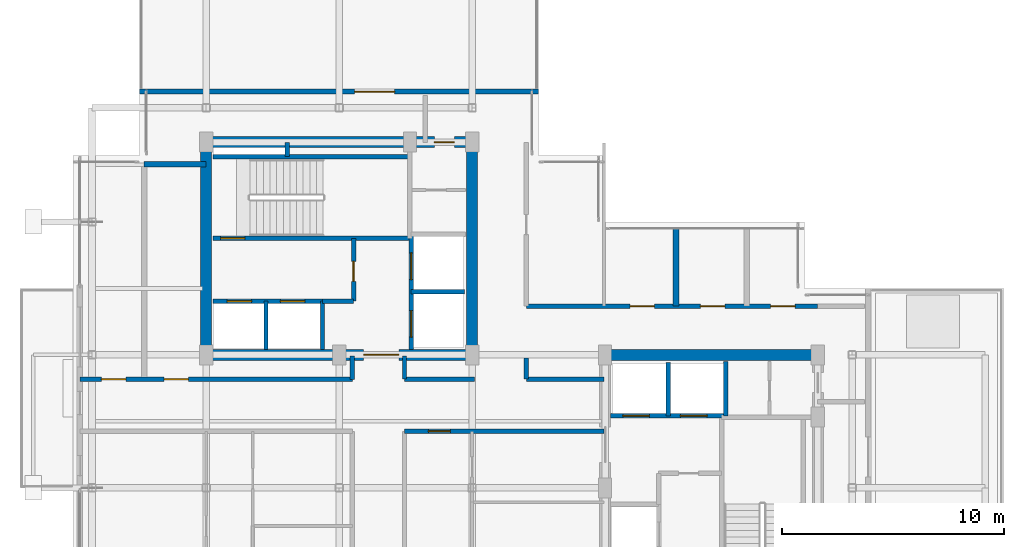
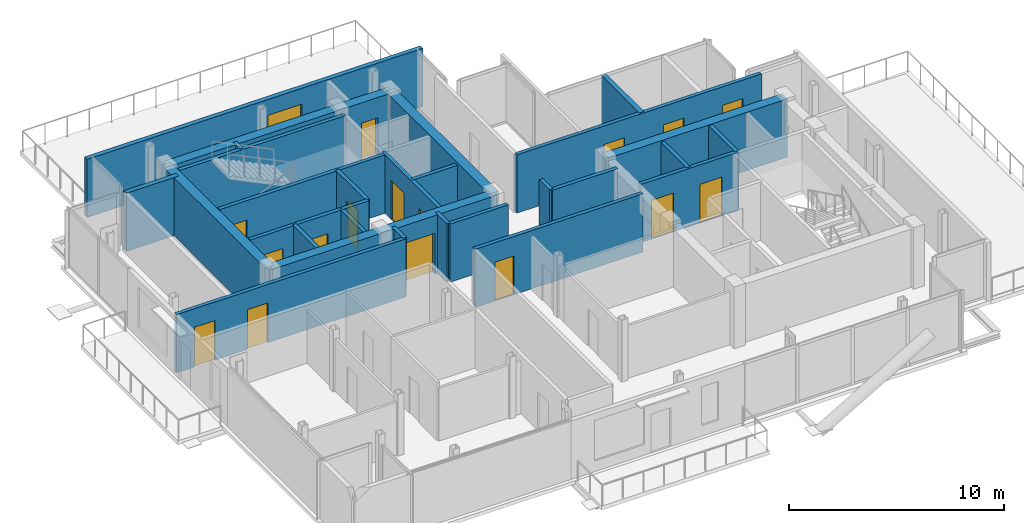
# One storey, part 15 of 19: 29 walls, 17 doors, 17 openings.
"""IFC4 building model written with IfcOpenShell, lengths in metres."""

from ifc_helpers import new_model, si_unit, direction, frame, frame_2d, origin, place, context, subcontext, project, spatial, rectangle, extrude, material, layer, layer_set, type_object, element, fill, save


model = new_model("IFC4")

# Units and contexts
model_context = context("Model", 3, precision=1e-05, world=origin(), true_north=direction((0.0, 1.0)))
body_context = subcontext(model_context, "Body", "Model", "MODEL_VIEW")
ifc_project = project(units=[si_unit("LENGTHUNIT", "METRE"), si_unit("AREAUNIT", "SQUARE_METRE"), si_unit("VOLUMEUNIT", "CUBIC_METRE"), si_unit("PLANEANGLEUNIT", "RADIAN"), si_unit("MASSUNIT", "GRAM", prefix="KILO"), si_unit("THERMODYNAMICTEMPERATUREUNIT", "KELVIN"), si_unit("POWERUNIT", "WATT")], contexts=[model_context])

# Site, building, storey
site_placement = place(None, origin())
site = spatial("IfcSite", under=ifc_project, at=site_placement, CompositionType="ELEMENT")
building_placement = place(site_placement, origin())
building = spatial("IfcBuilding", under=site, at=building_placement, Name="Svarakhadi Broadcast Tower", CompositionType="ELEMENT")
storey_placement = place(building_placement, frame((0.0, 0.0, 239.699951171875)))
storey = spatial("IfcBuildingStorey", under=building, at=storey_placement, Name="L59", CompositionType="ELEMENT", Elevation=239.699951171875)

# Wall, openings, doors
ifc_material_1 = material(Name="Double-Stud Acoustic Studio Partition STC-62", Category="gypsum")
ifc_layer_1 = layer(ifc_material_1, 0.199951171875)
ifc_layer_set_1 = layer_set([ifc_layer_1], Name="Double-Stud Acoustic Studio Partition STC-62")
wall_type_1 = type_object("IfcWallType", Name="Wall_Acoust_200", PredefinedType="PARTITIONING", material=ifc_layer_set_1)
wall_1_placement = place(storey_placement, frame((0.300048828125, 16.89990234375, 0.0), z_axis=(0.0, 0.0, 1.0), x_axis=(1.0, 0.0, 0.0)))
wall_1 = element("IfcWall", 1, at=wall_1_placement, inside=storey, type_object=wall_type_1, Name="L59 Upper Tower Concourse Wall", PredefinedType="PARTITIONING", context=body_context, shape_type="SweptSolid", body=[
    extrude(rectangle(XDim=12.300048828125, YDim=0.199951171875, at=frame_2d((6.14990234375, 0.0))), origin(), (0.0, 0.0, 1.0), 3.300048828125),
])
opening_1_placement = place(wall_1_placement, frame((0.97509765625, 0.0, 0.0)))
opening_1 = element("IfcOpeningElement", 2, at=opening_1_placement, cuts=wall_1, Name="Opening D-11", PredefinedType="OPENING", context=body_context, shape_type="SweptSolid", body=[
    extrude(rectangle(XDim=1.10009765625, YDim=2.25, at=frame_2d((0.550048828125, 1.125))), frame((0.0, 0.10986328125, 0.0), z_axis=(0.0, -1.0, 0.0), x_axis=(1.0, 0.0, 0.0)), (0.0, 0.0, 1.0), 0.219970703125),
])
opening_2_placement = place(wall_1_placement, frame((3.800048828125, 0.0, 0.0)))
opening_2 = element("IfcOpeningElement", 3, at=opening_2_placement, cuts=wall_1, Name="Opening D-10", PredefinedType="OPENING", context=body_context, shape_type="SweptSolid", body=[
    extrude(rectangle(XDim=1.10009765625, YDim=2.25, at=frame_2d((0.550048828125, 1.125))), frame((0.0, 0.10986328125, 0.0), z_axis=(0.0, -1.0, 0.0), x_axis=(1.0, 0.0, 0.0)), (0.0, 0.0, 1.0), 0.219970703125),
])
ifc_material_2 = material(Name="Solid-Core Teak Veneer Acoustic Timber Leaf", Category="wood")
door_type_1 = type_object("IfcDoorType", Name="Door_Acoust_D10", OperationType="SINGLE_SWING_LEFT", PredefinedType="DOOR", material=ifc_material_2)
door_1_placement = place(opening_2_placement, origin())
door_1 = element("IfcDoor", 4, at=door_1_placement, inside=storey, type_object=door_type_1, Name="L59 Residents Study Office Door", OperationType="SINGLE_SWING_LEFT", OverallHeight=2.25, OverallWidth=1.10009765625, PredefinedType="DOOR", context=body_context, shape_type="SweptSolid", body=[
    extrude(rectangle(XDim=1.10009765625, YDim=2.25, at=frame_2d((0.550048828125, 1.125))), frame((0.0, 0.02490234375, 0.0), z_axis=(0.0, -1.0, 0.0), x_axis=(1.0, 0.0, 0.0)), (0.0, 0.0, 1.0), 0.050048828125),
])
fill(opening_2, door_1)
door_type_2 = type_object("IfcDoorType", Name="Door_Acoust_D11", OperationType="SINGLE_SWING_RIGHT", PredefinedType="DOOR", material=ifc_material_2)
door_2_placement = place(opening_1_placement, origin())
door_2 = element("IfcDoor", 5, at=door_2_placement, inside=storey, type_object=door_type_2, Name="L59 Setback Garden Residents Lounge Door", OperationType="SINGLE_SWING_RIGHT", OverallHeight=2.25, OverallWidth=1.10009765625, PredefinedType="DOOR", context=body_context, shape_type="SweptSolid", body=[
    extrude(rectangle(XDim=1.10009765625, YDim=2.25, at=frame_2d((0.550048828125, 1.125))), frame((0.0, 0.02490234375, 0.0), z_axis=(0.0, -1.0, 0.0), x_axis=(1.0, 0.0, 0.0)), (0.0, 0.0, 1.0), 0.050048828125),
])
fill(opening_1, door_2)

# Walls
for number, where, z_axis, x_axis, name in (
    (6, (12.60009765625, 16.89990234375, 0.0), (0.0, 0.0, 1.0), (0.0, 1.0, 0.0), "L59 Upper Tower Concourse Wall"),
    (7, (14.949951171875, 17.949951171875, 0.0), (0.0, 0.0, 1.0), (0.0, -1.0, 0.0), "L59 Upper Tower Concourse Wall"),
):
    element("IfcWall", number, at=place(storey_placement, frame(where, z_axis=z_axis, x_axis=x_axis)), inside=storey, type_object=wall_type_1, Name=name, PredefinedType="PARTITIONING", context=body_context, shape_type="SweptSolid", body=[
        extrude(rectangle(XDim=1.050048828125, YDim=0.199951171875, at=frame_2d((0.52490234375, 0.0))), origin(), (0.0, 0.0, 1.0), 3.300048828125),
    ])
wall_2_placement = place(storey_placement, frame((14.949951171875, 16.89990234375, 0.0), z_axis=(0.0, 0.0, 1.0), x_axis=(1.0, 0.0, 0.0)))
element("IfcWall", 8, at=wall_2_placement, inside=storey, type_object=wall_type_1, Name="L59 Upper Tower Concourse Wall", PredefinedType="PARTITIONING", context=body_context, shape_type="SweptSolid", body=[
    extrude(rectangle(XDim=3.150146484375, YDim=0.199951171875, at=frame_2d((1.5751953125, 0.0))), origin(), (0.0, 0.0, 1.0), 3.300048828125),
])

# Wall, openings, doors
wall_3_placement = place(storey_placement, frame((20.449951171875, 20.199951171875, 0.0), z_axis=(0.0, 0.0, 1.0), x_axis=(1.0, 0.0, 0.0)))
wall_3 = element("IfcWall", 9, at=wall_3_placement, inside=storey, type_object=wall_type_1, Name="L59 Upper Tower Concourse Wall", PredefinedType="PARTITIONING", context=body_context, shape_type="SweptSolid", body=[
    extrude(rectangle(XDim=13.130126953125, YDim=0.199951171875, at=frame_2d((6.56494140625, 0.0))), origin(), (0.0, 0.0, 1.0), 3.300048828125),
])
opening_3_placement = place(wall_3_placement, frame((4.675048828125, 0.0, 0.0)))
opening_3 = element("IfcOpeningElement", 10, at=opening_3_placement, cuts=wall_3, Name="Opening D-10", PredefinedType="OPENING", context=body_context, shape_type="SweptSolid", body=[
    extrude(rectangle(XDim=1.10009765625, YDim=2.25, at=frame_2d((0.550048828125, 1.125))), frame((0.0, 0.10986328125, 0.0), z_axis=(0.0, -1.0, 0.0), x_axis=(1.0, 0.0, 0.0)), (0.0, 0.0, 1.0), 0.219970703125),
])
opening_4_placement = place(wall_3_placement, frame((7.85009765625, 0.0, 0.0)))
opening_4 = element("IfcOpeningElement", 11, at=opening_4_placement, cuts=wall_3, Name="Opening D-11", PredefinedType="OPENING", context=body_context, shape_type="SweptSolid", body=[
    extrude(rectangle(XDim=1.10009765625, YDim=2.25, at=frame_2d((0.550048828125, 1.125))), frame((0.0, 0.10986328125, 0.0), z_axis=(0.0, -1.0, 0.0), x_axis=(1.0, 0.0, 0.0)), (0.0, 0.0, 1.0), 0.219970703125),
])
opening_5_placement = place(wall_3_placement, frame((11.02490234375, 0.0, 0.0)))
opening_5 = element("IfcOpeningElement", 12, at=opening_5_placement, cuts=wall_3, Name="Opening D-10", PredefinedType="OPENING", context=body_context, shape_type="SweptSolid", body=[
    extrude(rectangle(XDim=1.10009765625, YDim=2.25, at=frame_2d((0.550048828125, 1.125))), frame((0.0, 0.10986328125, 0.0), z_axis=(0.0, -1.0, 0.0), x_axis=(1.0, 0.0, 0.0)), (0.0, 0.0, 1.0), 0.219970703125),
])
door_3_placement = place(opening_3_placement, origin())
door_3 = element("IfcDoor", 13, at=door_3_placement, inside=storey, type_object=door_type_1, Name="L59 Harbour Sky Club Reading Room Door", OperationType="SINGLE_SWING_LEFT", OverallHeight=2.25, OverallWidth=1.10009765625, PredefinedType="DOOR", context=body_context, shape_type="SweptSolid", body=[
    extrude(rectangle(XDim=1.10009765625, YDim=2.25, at=frame_2d((0.550048828125, 1.125))), frame((0.0, 0.02490234375, 0.0), z_axis=(0.0, -1.0, 0.0), x_axis=(1.0, 0.0, 0.0)), (0.0, 0.0, 1.0), 0.050048828125),
])
fill(opening_3, door_3)
door_4_placement = place(opening_5_placement, origin())
door_4 = element("IfcDoor", 14, at=door_4_placement, inside=storey, type_object=door_type_1, Name="L59 VIP Guest Concierge Office Door", OperationType="SINGLE_SWING_LEFT", OverallHeight=2.25, OverallWidth=1.10009765625, PredefinedType="DOOR", context=body_context, shape_type="SweptSolid", body=[
    extrude(rectangle(XDim=1.10009765625, YDim=2.25, at=frame_2d((0.550048828125, 1.125))), frame((0.0, 0.02490234375, 0.0), z_axis=(0.0, -1.0, 0.0), x_axis=(1.0, 0.0, 0.0)), (0.0, 0.0, 1.0), 0.050048828125),
])
fill(opening_5, door_4)
door_5_placement = place(opening_4_placement, origin())
door_5 = element("IfcDoor", 15, at=door_5_placement, inside=storey, type_object=door_type_2, Name="L59 Private Sommelier Tasting Pantry Door", OperationType="SINGLE_SWING_RIGHT", OverallHeight=2.25, OverallWidth=1.10009765625, PredefinedType="DOOR", context=body_context, shape_type="SweptSolid", body=[
    extrude(rectangle(XDim=1.10009765625, YDim=2.25, at=frame_2d((0.550048828125, 1.125))), frame((0.0, 0.02490234375, 0.0), z_axis=(0.0, -1.0, 0.0), x_axis=(1.0, 0.0, 0.0)), (0.0, 0.0, 1.0), 0.050048828125),
])
fill(opening_4, door_5)

# Walls
wall_4_placement = place(storey_placement, frame((20.449951171875, 17.85009765625, 0.0), z_axis=(0.0, 0.0, 1.0), x_axis=(0.0, -1.0, 0.0)))
element("IfcWall", 16, at=wall_4_placement, inside=storey, type_object=wall_type_1, Name="L59 Upper Tower Concourse Wall", PredefinedType="PARTITIONING", context=body_context, shape_type="SweptSolid", body=[
    extrude(rectangle(XDim=0.9501953125, YDim=0.199951171875, at=frame_2d((0.47509765625, 0.0))), origin(), (0.0, 0.0, 1.0), 3.300048828125),
])
wall_5_placement = place(storey_placement, frame((20.449951171875, 16.89990234375, 0.0), z_axis=(0.0, 0.0, 1.0), x_axis=(1.0, 0.0, 0.0)))
element("IfcWall", 17, at=wall_5_placement, inside=storey, type_object=wall_type_1, Name="L59 Upper Tower Concourse Wall", PredefinedType="PARTITIONING", context=body_context, shape_type="SweptSolid", body=[
    extrude(rectangle(XDim=3.5, YDim=0.199951171875, at=frame_2d((1.75, 0.0))), origin(), (0.0, 0.0, 1.0), 3.300048828125),
])

# Wall, opening, door
wall_6_placement = place(storey_placement, frame((23.949951171875, 14.550048828125, 0.0), z_axis=(0.0, 0.0, 1.0), x_axis=(-1.0, 0.0, 0.0)))
wall_6 = element("IfcWall", 18, at=wall_6_placement, inside=storey, type_object=wall_type_1, Name="L59 Upper Tower Concourse Wall", PredefinedType="PARTITIONING", context=body_context, shape_type="SweptSolid", body=[
    extrude(rectangle(XDim=9.0, YDim=0.199951171875, at=frame_2d((4.5, 0.0))), origin(), (0.0, 0.0, 1.0), 3.300048828125),
])
opening_6_placement = place(wall_6_placement, frame((6.925048828125, 0.0, 0.0)))
opening_6 = element("IfcOpeningElement", 19, at=opening_6_placement, cuts=wall_6, Name="Opening D-09", PredefinedType="OPENING", context=body_context, shape_type="SweptSolid", body=[
    extrude(rectangle(XDim=1.0, YDim=2.199951171875, at=frame_2d((0.5, 1.10009765625))), frame((0.0, 0.10986328125, 0.0), z_axis=(0.0, -1.0, 0.0), x_axis=(1.0, 0.0, 0.0)), (0.0, 0.0, 1.0), 0.219970703125),
])
door_type_3 = type_object("IfcDoorType", Name="Door_Suite_D09", OperationType="SINGLE_SWING_RIGHT", PredefinedType="DOOR", material=ifc_material_2)
door_6_placement = place(opening_6_placement, origin())
door_6 = element("IfcDoor", 20, at=door_6_placement, inside=storey, type_object=door_type_3, Name="L59 Studio B Entrance Door", OperationType="SINGLE_SWING_RIGHT", OverallHeight=2.199951171875, OverallWidth=1.0, PredefinedType="DOOR", context=body_context, shape_type="SweptSolid", body=[
    extrude(rectangle(XDim=1.0, YDim=2.199951171875, at=frame_2d((0.5, 1.10009765625))), frame((0.0, 0.02490234375, 0.0), z_axis=(0.0, -1.0, 0.0), x_axis=(1.0, 0.0, 0.0)), (0.0, 0.0, 1.0), 0.050048828125),
])
fill(opening_6, door_6)

# Walls
ifc_layer_2 = layer(ifc_material_1, 0.25)
ifc_layer_set_2 = layer_set([ifc_layer_2], Name="Double-Stud Acoustic Studio Partition STC-62")
wall_type_2 = type_object("IfcWallType", Name="Wall_Acoust_250", PredefinedType="PARTITIONING", material=ifc_layer_set_2)
wall_7_placement = place(storey_placement, frame((27.199951171875, 20.199951171875, 0.0), z_axis=(0.0, 0.0, 1.0), x_axis=(0.0, 1.0, 0.0)))
element("IfcWall", 21, at=wall_7_placement, inside=storey, type_object=wall_type_2, Name="L59 Harbour Sky Club Reading Room Wall", PredefinedType="PARTITIONING", context=body_context, shape_type="SweptSolid", body=[
    extrude(rectangle(XDim=3.5, YDim=0.25, at=frame_2d((1.75, 0.0))), origin(), (0.0, 0.0, 1.0), 3.300048828125),
])
wall_8_placement = place(storey_placement, frame((3.199951171875, 26.60009765625, 0.0), z_axis=(0.0, 0.0, 1.0), x_axis=(1.0, 0.0, 0.0)))
element("IfcWall", 22, at=wall_8_placement, inside=storey, type_object=wall_type_2, Name="L59 Residents Study Office Wall", PredefinedType="PARTITIONING", context=body_context, shape_type="SweptSolid", body=[
    extrude(rectangle(XDim=2.800048828125, YDim=0.25, at=frame_2d((1.39990234375, 0.0))), origin(), (0.0, 0.0, 1.0), 3.300048828125),
])

# Wall, opening, door
ifc_material_3 = material(Name="Concrete C40/50 (IS 456 M50)", Category="concrete")
ifc_layer_3 = layer(ifc_material_3, 0.239990234375)
ifc_layer_set_3 = layer_set([ifc_layer_3], Name="Concrete C40/50 (IS 456 M50)")
wall_type_3 = type_object("IfcWallType", Name="Wall_Ext_240", PredefinedType="SOLIDWALL", material=ifc_layer_set_3)
wall_9_placement = place(storey_placement, frame((3.0, 29.8798828125, 0.0), z_axis=(0.0, 0.0, 1.0), x_axis=(1.0, 0.0, 0.0)))
wall_9 = element("IfcWall", 23, at=wall_9_placement, inside=storey, type_object=wall_type_3, Name="L59 North Setback Terrace Access Wall", PredefinedType="SOLIDWALL", context=body_context, shape_type="SweptSolid", body=[
    extrude(rectangle(XDim=18.0, YDim=0.239990234375, at=frame_2d((9.0, 0.0))), origin(), (0.0, 0.0, 1.0), 3.300048828125),
])
opening_7_placement = place(wall_9_placement, frame((9.699951171875, 0.0, 0.0)))
opening_7 = element("IfcOpeningElement", 24, at=opening_7_placement, cuts=wall_9, Name="Opening ED-02", PredefinedType="OPENING", context=body_context, shape_type="SweptSolid", body=[
    extrude(rectangle(XDim=1.800048828125, YDim=2.39990234375, at=frame_2d((0.89990234375, 1.199951171875))), frame((0.0, 0.1298828125, 0.0), z_axis=(0.0, -1.0, 0.0), x_axis=(1.0, 0.0, 0.0)), (0.0, 0.0, 1.0), 0.260009765625),
])
ifc_material_4 = material(Name="Anodised Bronze Aluminium AA 6063-T6", Category="aluminium")
door_type_4 = type_object("IfcDoorType", Name="Door_Ext_ED02", OperationType="DOUBLE_DOOR_SINGLE_SWING", PredefinedType="DOOR", material=ifc_material_4)
door_7_placement = place(opening_7_placement, origin())
door_7 = element("IfcDoor", 25, at=door_7_placement, inside=storey, type_object=door_type_4, Name="L59 North Setback Terrace Door", OperationType="DOUBLE_DOOR_SINGLE_SWING", OverallHeight=2.39990234375, OverallWidth=1.800048828125, PredefinedType="DOOR", context=body_context, shape_type="SweptSolid", body=[
    extrude(rectangle(XDim=1.800048828125, YDim=2.39990234375, at=frame_2d((0.89990234375, 1.199951171875))), frame((0.0, 0.02490234375, 0.0), z_axis=(0.0, -1.0, 0.0), x_axis=(1.0, 0.0, 0.0)), (0.0, 0.0, 1.0), 0.050048828125),
])
fill(opening_7, door_7)

# Wall
ifc_layer_4 = layer(ifc_material_3, 0.199951171875)
ifc_layer_set_4 = layer_set([ifc_layer_4], Name="Concrete C40/50 (IS 456 M50)")
wall_type_4 = type_object("IfcWallType", Name="Wall_Fire_200", PredefinedType="SOLIDWALL", material=ifc_layer_set_4)
wall_10_placement = place(storey_placement, frame((9.659912109375, 26.93994140625, 0.0), z_axis=(0.0, 0.0, 1.0), x_axis=(0.0, 1.0, 0.0)))
element("IfcWall", 26, at=wall_10_placement, inside=storey, type_object=wall_type_4, Name="L59 Wet Riser Shaft East Wall", PredefinedType="SOLIDWALL", context=body_context, shape_type="SweptSolid", body=[
    extrude(rectangle(XDim=0.64013671875, YDim=0.199951171875, at=frame_2d((0.320068359375, 0.0))), origin(), (0.0, 0.0, 1.0), 3.300048828125),
])

# Wall, opening, door
ifc_material_5 = material(Name="Concrete C50/60 (IS 456 M60)", Category="concrete")
ifc_layer_5 = layer(ifc_material_5, 0.199951171875)
ifc_layer_set_5 = layer_set([ifc_layer_5], Name="Concrete C50/60 (IS 456 M60)")
wall_type_5 = type_object("IfcWallType", Name="Wall_Shear_200", PredefinedType="SHEAR", material=ifc_layer_set_5)
wall_11_placement = place(storey_placement, frame((6.300048828125, 23.260009765625, 0.0), z_axis=(0.0, 0.0, 1.0), x_axis=(1.0, 0.0, 0.0)))
wall_11 = element("IfcWall", 27, at=wall_11_placement, inside=storey, type_object=wall_type_5, Name="L59 Stair ST-01 South RC Shaft Wall", PredefinedType="SHEAR", context=body_context, shape_type="SweptSolid", body=[
    extrude(rectangle(XDim=8.8798828125, YDim=0.199951171875, at=frame_2d((4.43994140625, 0.0))), origin(), (0.0, 0.0, 1.0), 3.300048828125),
])
opening_8_placement = place(wall_11_placement, frame((0.35009765625, 0.0, 0.0)))
opening_8 = element("IfcOpeningElement", 28, at=opening_8_placement, cuts=wall_11, Name="Opening D-01", PredefinedType="OPENING", context=body_context, shape_type="SweptSolid", body=[
    extrude(rectangle(XDim=1.10009765625, YDim=2.199951171875, at=frame_2d((0.550048828125, 1.10009765625))), frame((0.0, 0.10986328125, 0.0), z_axis=(0.0, -1.0, 0.0), x_axis=(1.0, 0.0, 0.0)), (0.0, 0.0, 1.0), 0.219970703125),
])
ifc_material_6 = material(Name="Galvanised Powder-Coated Fire-Rated Steel Leaf", Category="steel")
door_type_5 = type_object("IfcDoorType", Name="Door_Stair_D01", OperationType="SINGLE_SWING_LEFT", PredefinedType="DOOR", material=ifc_material_6)
door_8_placement = place(opening_8_placement, origin())
door_8 = element("IfcDoor", 29, at=door_8_placement, inside=storey, type_object=door_type_5, Name="L59 Protected Exit Stair ST-01 Fire Door", OperationType="SINGLE_SWING_LEFT", OverallHeight=2.199951171875, OverallWidth=1.10009765625, PredefinedType="DOOR", context=body_context, shape_type="SweptSolid", body=[
    extrude(rectangle(XDim=1.10009765625, YDim=2.199951171875, at=frame_2d((0.550048828125, 1.10009765625))), frame((0.0, 0.02490234375, 0.0), z_axis=(0.0, -1.0, 0.0), x_axis=(1.0, 0.0, 0.0)), (0.0, 0.0, 1.0), 0.050048828125),
])
fill(opening_8, door_8)

# Wall
wall_12_placement = place(storey_placement, frame((6.300048828125, 26.93994140625, 0.0), z_axis=(0.0, 0.0, 1.0), x_axis=(1.0, 0.0, 0.0)))
element("IfcWall", 30, at=wall_12_placement, inside=storey, type_object=wall_type_5, Name="L59 Stair ST-01 North RC Shaft Wall", PredefinedType="SHEAR", context=body_context, shape_type="SweptSolid", body=[
    extrude(rectangle(XDim=8.8798828125, YDim=0.199951171875, at=frame_2d((4.43994140625, 0.0))), origin(), (0.0, 0.0, 1.0), 3.300048828125),
])

# Wall, openings, doors
wall_13_placement = place(storey_placement, frame((6.300048828125, 20.419921875, 0.0), z_axis=(0.0, 0.0, 1.0), x_axis=(1.0, 0.0, 0.0)))
wall_13 = element("IfcWall", 31, at=wall_13_placement, inside=storey, type_object=wall_type_5, Name="L59 Firefighting Lift LF-01/02 Shaft Wall", PredefinedType="SHEAR", context=body_context, shape_type="SweptSolid", body=[
    extrude(rectangle(XDim=4.949951171875, YDim=0.199951171875, at=frame_2d((2.47509765625, 0.0))), origin(), (0.0, 0.0, 1.0), 3.300048828125),
])
opening_9_placement = place(wall_13_placement, frame((0.64990234375, 0.0, 0.0)))
opening_9 = element("IfcOpeningElement", 32, at=opening_9_placement, cuts=wall_13, Name="Opening LD-01", PredefinedType="OPENING", context=body_context, shape_type="SweptSolid", body=[
    extrude(rectangle(XDim=1.10009765625, YDim=2.199951171875, at=frame_2d((0.550048828125, 1.10009765625))), frame((0.0, 0.10986328125, 0.0), z_axis=(0.0, -1.0, 0.0), x_axis=(1.0, 0.0, 0.0)), (0.0, 0.0, 1.0), 0.219970703125),
])
opening_10_placement = place(wall_13_placement, frame((3.050048828125, 0.0, 0.0)))
opening_10 = element("IfcOpeningElement", 33, at=opening_10_placement, cuts=wall_13, Name="Opening LD-01", PredefinedType="OPENING", context=body_context, shape_type="SweptSolid", body=[
    extrude(rectangle(XDim=1.10009765625, YDim=2.199951171875, at=frame_2d((0.550048828125, 1.10009765625))), frame((0.0, 0.10986328125, 0.0), z_axis=(0.0, -1.0, 0.0), x_axis=(1.0, 0.0, 0.0)), (0.0, 0.0, 1.0), 0.219970703125),
])
door_type_6 = type_object("IfcDoorType", Name="Door_Lift_LD01", OperationType="SLIDING_TO_LEFT", PredefinedType="DOOR", material=ifc_material_6)
door_9_placement = place(opening_9_placement, origin())
door_9 = element("IfcDoor", 34, at=door_9_placement, inside=storey, type_object=door_type_6, Name="L59 Firefighting Lift LF-01 Landing Door", OperationType="SLIDING_TO_LEFT", OverallHeight=2.199951171875, OverallWidth=1.10009765625, PredefinedType="DOOR", context=body_context, shape_type="SweptSolid", body=[
    extrude(rectangle(XDim=1.10009765625, YDim=2.199951171875, at=frame_2d((0.550048828125, 1.10009765625))), frame((0.0, 0.02490234375, 0.0), z_axis=(0.0, -1.0, 0.0), x_axis=(1.0, 0.0, 0.0)), (0.0, 0.0, 1.0), 0.050048828125),
])
fill(opening_9, door_9)
door_10_placement = place(opening_10_placement, origin())
door_10 = element("IfcDoor", 35, at=door_10_placement, inside=storey, type_object=door_type_6, Name="L59 Firefighting Lift LF-02 Landing Door", OperationType="SLIDING_TO_LEFT", OverallHeight=2.199951171875, OverallWidth=1.10009765625, PredefinedType="DOOR", context=body_context, shape_type="SweptSolid", body=[
    extrude(rectangle(XDim=1.10009765625, YDim=2.199951171875, at=frame_2d((0.550048828125, 1.10009765625))), frame((0.0, 0.02490234375, 0.0), z_axis=(0.0, -1.0, 0.0), x_axis=(1.0, 0.0, 0.0)), (0.0, 0.0, 1.0), 0.050048828125),
])
fill(opening_10, door_10)

# Walls
for number, where, z_axis, x_axis, name in (
    (36, (8.699951171875, 18.25, 0.0), (0.0, 0.0, 1.0), (0.0, 1.0, 0.0), "L59 Firefighting Lift LF-01/02 Divider Wall"),
    (37, (11.25, 18.25, 0.0), (0.0, 0.0, 1.0), (0.0, 1.0, 0.0), "L59 Firefighting Lift LF-02 East Wall"),
):
    element("IfcWall", number, at=place(storey_placement, frame(where, z_axis=z_axis, x_axis=x_axis)), inside=storey, type_object=wall_type_5, Name=name, PredefinedType="SHEAR", context=body_context, shape_type="SweptSolid", body=[
        extrude(rectangle(XDim=2.169921875, YDim=0.199951171875, at=frame_2d((1.0849609375, 0.0))), origin(), (0.0, 0.0, 1.0), 3.300048828125),
    ])
wall_14_placement = place(storey_placement, frame((11.25, 20.419921875, 0.0), z_axis=(0.0, 0.0, 1.0), x_axis=(1.0, 0.0, 0.0)))
element("IfcWall", 38, at=wall_14_placement, inside=storey, type_object=wall_type_5, Name="L59 West Firefighting Lobby South Wall", PredefinedType="SHEAR", context=body_context, shape_type="SweptSolid", body=[
    extrude(rectangle(XDim=1.39990234375, YDim=0.199951171875, at=frame_2d((0.699951171875, 0.0))), origin(), (0.0, 0.0, 1.0), 3.300048828125),
])

# Wall, opening, door
wall_15_placement = place(storey_placement, frame((12.64990234375, 20.419921875, 0.0), z_axis=(0.0, 0.0, 1.0), x_axis=(0.0, 1.0, 0.0)))
wall_15 = element("IfcWall", 39, at=wall_15_placement, inside=storey, type_object=wall_type_5, Name="L59 West Firefighting Lobby East Wall", PredefinedType="SHEAR", context=body_context, shape_type="SweptSolid", body=[
    extrude(rectangle(XDim=2.840087890625, YDim=0.199951171875, at=frame_2d((1.419921875, 0.0))), origin(), (0.0, 0.0, 1.0), 3.300048828125),
])
opening_11_placement = place(wall_15_placement, frame((0.89990234375, 0.0, 0.0)))
opening_11 = element("IfcOpeningElement", 40, at=opening_11_placement, cuts=wall_15, Name="Opening D-03", PredefinedType="OPENING", context=body_context, shape_type="SweptSolid", body=[
    extrude(rectangle(XDim=0.89990234375, YDim=2.14990234375, at=frame_2d((0.449951171875, 1.074951171875))), frame((0.0, 0.10986328125, 0.0), z_axis=(0.0, -1.0, 0.0), x_axis=(1.0, 0.0, 0.0)), (0.0, 0.0, 1.0), 0.219970703125),
])
door_type_7 = type_object("IfcDoorType", Name="Door_Fire_D03", OperationType="SINGLE_SWING_LEFT", PredefinedType="DOOR", material=ifc_material_6)
door_11_placement = place(opening_11_placement, origin())
door_11 = element("IfcDoor", 41, at=door_11_placement, inside=storey, type_object=door_type_7, Name="L59 West Firefighting Lobby Fire Door", OperationType="SINGLE_SWING_LEFT", OverallHeight=2.14990234375, OverallWidth=0.89990234375, PredefinedType="DOOR", context=body_context, shape_type="SweptSolid", body=[
    extrude(rectangle(XDim=0.89990234375, YDim=2.14990234375, at=frame_2d((0.449951171875, 1.074951171875))), frame((0.0, 0.02490234375, 0.0), z_axis=(0.0, -1.0, 0.0), x_axis=(1.0, 0.0, 0.0)), (0.0, 0.0, 1.0), 0.050048828125),
])
fill(opening_11, door_11)

# Wall, openings, doors
wall_16_placement = place(storey_placement, frame((15.25, 18.25, 0.0), z_axis=(0.0, 0.0, 1.0), x_axis=(0.0, 1.0, 0.0)))
wall_16 = element("IfcWall", 42, at=wall_16_placement, inside=storey, type_object=wall_type_5, Name="L59 High-Rise Lift LF-13/14 West Shaft Wall", PredefinedType="SHEAR", context=body_context, shape_type="SweptSolid", body=[
    extrude(rectangle(XDim=5.199951171875, YDim=0.199951171875, at=frame_2d((2.60009765625, 0.0))), origin(), (0.0, 0.0, 1.0), 3.300048828125),
])
opening_12_placement = place(wall_16_placement, frame((0.550048828125, 0.0, 0.0)))
opening_12 = element("IfcOpeningElement", 43, at=opening_12_placement, cuts=wall_16, Name="Opening LD-02", PredefinedType="OPENING", context=body_context, shape_type="SweptSolid", body=[
    extrude(rectangle(XDim=1.199951171875, YDim=2.199951171875, at=frame_2d((0.60009765625, 1.10009765625))), frame((0.0, 0.10986328125, 0.0), z_axis=(0.0, -1.0, 0.0), x_axis=(1.0, 0.0, 0.0)), (0.0, 0.0, 1.0), 0.219970703125),
])
opening_13_placement = place(wall_16_placement, frame((3.14990234375, 0.0, 0.0)))
opening_13 = element("IfcOpeningElement", 44, at=opening_13_placement, cuts=wall_16, Name="Opening LD-02", PredefinedType="OPENING", context=body_context, shape_type="SweptSolid", body=[
    extrude(rectangle(XDim=1.199951171875, YDim=2.199951171875, at=frame_2d((0.60009765625, 1.10009765625))), frame((0.0, 0.10986328125, 0.0), z_axis=(0.0, -1.0, 0.0), x_axis=(1.0, 0.0, 0.0)), (0.0, 0.0, 1.0), 0.219970703125),
])
door_type_8 = type_object("IfcDoorType", Name="Door_Lift_LD02", OperationType="SLIDING_TO_RIGHT", PredefinedType="DOOR", material=ifc_material_6)
door_12_placement = place(opening_12_placement, origin())
door_12 = element("IfcDoor", 45, at=door_12_placement, inside=storey, type_object=door_type_8, Name="L59 High-Rise Lift LF-13 Landing Door", OperationType="SLIDING_TO_RIGHT", OverallHeight=2.199951171875, OverallWidth=1.199951171875, PredefinedType="DOOR", context=body_context, shape_type="SweptSolid", body=[
    extrude(rectangle(XDim=1.199951171875, YDim=2.199951171875, at=frame_2d((0.60009765625, 1.10009765625))), frame((0.0, 0.02490234375, 0.0), z_axis=(0.0, -1.0, 0.0), x_axis=(1.0, 0.0, 0.0)), (0.0, 0.0, 1.0), 0.050048828125),
])
fill(opening_12, door_12)
door_13_placement = place(opening_13_placement, origin())
door_13 = element("IfcDoor", 46, at=door_13_placement, inside=storey, type_object=door_type_8, Name="L59 High-Rise Lift LF-14 Landing Door", OperationType="SLIDING_TO_RIGHT", OverallHeight=2.199951171875, OverallWidth=1.199951171875, PredefinedType="DOOR", context=body_context, shape_type="SweptSolid", body=[
    extrude(rectangle(XDim=1.199951171875, YDim=2.199951171875, at=frame_2d((0.60009765625, 1.10009765625))), frame((0.0, 0.02490234375, 0.0), z_axis=(0.0, -1.0, 0.0), x_axis=(1.0, 0.0, 0.0)), (0.0, 0.0, 1.0), 0.050048828125),
])
fill(opening_13, door_13)

# Wall
wall_17_placement = place(storey_placement, frame((15.25, 20.85009765625, 0.0), z_axis=(0.0, 0.0, 1.0), x_axis=(1.0, 0.0, 0.0)))
element("IfcWall", 47, at=wall_17_placement, inside=storey, type_object=wall_type_5, Name="L59 High-Rise Lift LF-13/14 Divider", PredefinedType="SHEAR", context=body_context, shape_type="SweptSolid", body=[
    extrude(rectangle(XDim=2.39990234375, YDim=0.199951171875, at=frame_2d((1.199951171875, 0.0))), origin(), (0.0, 0.0, 1.0), 3.300048828125),
])

# Wall, openings, doors
wall_18_placement = place(storey_placement, frame((24.25, 15.25, 0.0), z_axis=(0.0, 0.0, 1.0), x_axis=(1.0, 0.0, 0.0)))
wall_18 = element("IfcWall", 48, at=wall_18_placement, inside=storey, type_object=wall_type_5, Name="L59 High-Rise Lift LF-15/16 South Shaft Wall", PredefinedType="SHEAR", context=body_context, shape_type="SweptSolid", body=[
    extrude(rectangle(XDim=5.199951171875, YDim=0.199951171875, at=frame_2d((2.60009765625, 0.0))), origin(), (0.0, 0.0, 1.0), 3.300048828125),
])
opening_14_placement = place(wall_18_placement, frame((0.550048828125, 0.0, 0.0)))
opening_14 = element("IfcOpeningElement", 49, at=opening_14_placement, cuts=wall_18, Name="Opening LD-02", PredefinedType="OPENING", context=body_context, shape_type="SweptSolid", body=[
    extrude(rectangle(XDim=1.199951171875, YDim=2.199951171875, at=frame_2d((0.60009765625, 1.10009765625))), frame((0.0, 0.10986328125, 0.0), z_axis=(0.0, -1.0, 0.0), x_axis=(1.0, 0.0, 0.0)), (0.0, 0.0, 1.0), 0.219970703125),
])
opening_15_placement = place(wall_18_placement, frame((3.14990234375, 0.0, 0.0)))
opening_15 = element("IfcOpeningElement", 50, at=opening_15_placement, cuts=wall_18, Name="Opening LD-02", PredefinedType="OPENING", context=body_context, shape_type="SweptSolid", body=[
    extrude(rectangle(XDim=1.199951171875, YDim=2.199951171875, at=frame_2d((0.60009765625, 1.10009765625))), frame((0.0, 0.10986328125, 0.0), z_axis=(0.0, -1.0, 0.0), x_axis=(1.0, 0.0, 0.0)), (0.0, 0.0, 1.0), 0.219970703125),
])
door_14_placement = place(opening_14_placement, origin())
door_14 = element("IfcDoor", 51, at=door_14_placement, inside=storey, type_object=door_type_8, Name="L59 High-Rise Lift LF-15 Landing Door", OperationType="SLIDING_TO_RIGHT", OverallHeight=2.199951171875, OverallWidth=1.199951171875, PredefinedType="DOOR", context=body_context, shape_type="SweptSolid", body=[
    extrude(rectangle(XDim=1.199951171875, YDim=2.199951171875, at=frame_2d((0.60009765625, 1.10009765625))), frame((0.0, 0.02490234375, 0.0), z_axis=(0.0, -1.0, 0.0), x_axis=(1.0, 0.0, 0.0)), (0.0, 0.0, 1.0), 0.050048828125),
])
fill(opening_14, door_14)
door_15_placement = place(opening_15_placement, origin())
door_15 = element("IfcDoor", 52, at=door_15_placement, inside=storey, type_object=door_type_8, Name="L59 High-Rise Lift LF-16 Landing Door", OperationType="SLIDING_TO_RIGHT", OverallHeight=2.199951171875, OverallWidth=1.199951171875, PredefinedType="DOOR", context=body_context, shape_type="SweptSolid", body=[
    extrude(rectangle(XDim=1.199951171875, YDim=2.199951171875, at=frame_2d((0.60009765625, 1.10009765625))), frame((0.0, 0.02490234375, 0.0), z_axis=(0.0, -1.0, 0.0), x_axis=(1.0, 0.0, 0.0)), (0.0, 0.0, 1.0), 0.050048828125),
])
fill(opening_15, door_15)

# Walls
wall_19_placement = place(storey_placement, frame((26.85009765625, 15.25, 0.0), z_axis=(0.0, 0.0, 1.0), x_axis=(0.0, 1.0, 0.0)))
element("IfcWall", 53, at=wall_19_placement, inside=storey, type_object=wall_type_5, Name="L59 High-Rise Lift LF-15/16 Divider", PredefinedType="SHEAR", context=body_context, shape_type="SweptSolid", body=[
    extrude(rectangle(XDim=2.39990234375, YDim=0.199951171875, at=frame_2d((1.199951171875, 0.0))), origin(), (0.0, 0.0, 1.0), 3.300048828125),
])
wall_20_placement = place(storey_placement, frame((29.449951171875, 15.25, 0.0), z_axis=(0.0, 0.0, 1.0), x_axis=(0.0, 1.0, 0.0)))
element("IfcWall", 54, at=wall_20_placement, inside=storey, type_object=wall_type_5, Name="L59 High-Rise Lift LF-15/16 East Wall", PredefinedType="SHEAR", context=body_context, shape_type="SweptSolid", body=[
    extrude(rectangle(XDim=2.449951171875, YDim=0.199951171875, at=frame_2d((1.22509765625, 0.0))), origin(), (0.0, 0.0, 1.0), 3.300048828125),
])

# Wall, opening, door
ifc_layer_6 = layer(ifc_material_5, 0.5)
ifc_layer_set_6 = layer_set([ifc_layer_6], Name="Concrete C50/60 (IS 456 M60)")
wall_type_6 = type_object("IfcWallType", Name="Wall_Shear_500", PredefinedType="SHEAR", material=ifc_layer_set_6)
wall_21_placement = place(storey_placement, frame((6.0, 18.0, 0.0), z_axis=(0.0, 0.0, 1.0), x_axis=(1.0, 0.0, 0.0)))
wall_21 = element("IfcWall", 55, at=wall_21_placement, inside=storey, type_object=wall_type_6, Name="L59 West Core South Shear Wall", PredefinedType="SHEAR", context=body_context, shape_type="SweptSolid", body=[
    extrude(rectangle(XDim=12.0, YDim=0.5, at=frame_2d((6.0, 0.0))), origin(), (0.0, 0.0, 1.0), 3.300048828125),
])
opening_16_placement = place(wall_21_placement, frame((7.10009765625, 0.0, 0.0)))
opening_16 = element("IfcOpeningElement", 56, at=opening_16_placement, cuts=wall_21, Name="Opening D-05", PredefinedType="OPENING", context=body_context, shape_type="SweptSolid", body=[
    extrude(rectangle(XDim=1.60009765625, YDim=2.300048828125, at=frame_2d((0.800048828125, 1.14990234375))), frame((0.0, 0.260009765625, 0.0), z_axis=(0.0, -1.0, 0.0), x_axis=(1.0, 0.0, 0.0)), (0.0, 0.0, 1.0), 0.52001953125),
])
door_type_9 = type_object("IfcDoorType", Name="Door_Lobby_D05", OperationType="DOUBLE_DOOR_SLIDING", PredefinedType="DOOR", material=ifc_material_4)
door_16_placement = place(opening_16_placement, origin())
door_16 = element("IfcDoor", 57, at=door_16_placement, inside=storey, type_object=door_type_9, Name="L59 West Core Passenger Lift Lobby Entrance Door", OperationType="DOUBLE_DOOR_SLIDING", OverallHeight=2.300048828125, OverallWidth=1.60009765625, PredefinedType="DOOR", context=body_context, shape_type="SweptSolid", body=[
    extrude(rectangle(XDim=1.60009765625, YDim=2.300048828125, at=frame_2d((0.800048828125, 1.14990234375))), frame((0.0, 0.02490234375, 0.0), z_axis=(0.0, -1.0, 0.0), x_axis=(1.0, 0.0, 0.0)), (0.0, 0.0, 1.0), 0.050048828125),
])
fill(opening_16, door_16)

wall_22_placement = place(storey_placement, frame((6.0, 27.60009765625, 0.0), z_axis=(0.0, 0.0, 1.0), x_axis=(1.0, 0.0, 0.0)))
wall_22 = element("IfcWall", 58, at=wall_22_placement, inside=storey, type_object=wall_type_6, Name="L59 West Core North Shear Wall", PredefinedType="SHEAR", context=body_context, shape_type="SweptSolid", body=[
    extrude(rectangle(XDim=12.0, YDim=0.5, at=frame_2d((6.0, 0.0))), origin(), (0.0, 0.0, 1.0), 3.300048828125),
])
opening_17_placement = place(wall_22_placement, frame((10.300048828125, 0.0, 0.0)))
opening_17 = element("IfcOpeningElement", 59, at=opening_17_placement, cuts=wall_22, Name="Opening D-03", PredefinedType="OPENING", context=body_context, shape_type="SweptSolid", body=[
    extrude(rectangle(XDim=0.89990234375, YDim=2.14990234375, at=frame_2d((0.449951171875, 1.074951171875))), frame((0.0, 0.260009765625, 0.0), z_axis=(0.0, -1.0, 0.0), x_axis=(1.0, 0.0, 0.0)), (0.0, 0.0, 1.0), 0.52001953125),
])
door_17_placement = place(opening_17_placement, origin())
door_17 = element("IfcDoor", 60, at=door_17_placement, inside=storey, type_object=door_type_7, Name="L59 West Core Store A Door", OperationType="SINGLE_SWING_LEFT", OverallHeight=2.14990234375, OverallWidth=0.89990234375, PredefinedType="DOOR", context=body_context, shape_type="SweptSolid", body=[
    extrude(rectangle(XDim=0.89990234375, YDim=2.14990234375, at=frame_2d((0.449951171875, 1.074951171875))), frame((0.0, 0.02490234375, 0.0), z_axis=(0.0, -1.0, 0.0), x_axis=(1.0, 0.0, 0.0)), (0.0, 0.0, 1.0), 0.050048828125),
])
fill(opening_17, door_17)

# Walls
for number, where, z_axis, x_axis, name in (
    (61, (6.0, 18.0, 0.0), (0.0, 0.0, 1.0), (0.0, 1.0, 0.0), "L59 West Core West Shear Wall"),
    (62, (18.0, 18.0, 0.0), (0.0, 0.0, 1.0), (0.0, 1.0, 0.0), "L59 West Core East Shear Wall"),
    (63, (24.0, 18.0, 0.0), (0.0, 0.0, 1.0), (1.0, 0.0, 0.0), "L59 East Core North Shear Wall"),
):
    element("IfcWall", number, at=place(storey_placement, frame(where, z_axis=z_axis, x_axis=x_axis)), inside=storey, type_object=wall_type_6, Name=name, PredefinedType="SHEAR", context=body_context, shape_type="SweptSolid", body=[
        extrude(rectangle(XDim=9.60009765625, YDim=0.5, at=frame_2d((4.800048828125, 0.0))), origin(), (0.0, 0.0, 1.0), 3.300048828125),
    ])

save(model, "model.ifc")
